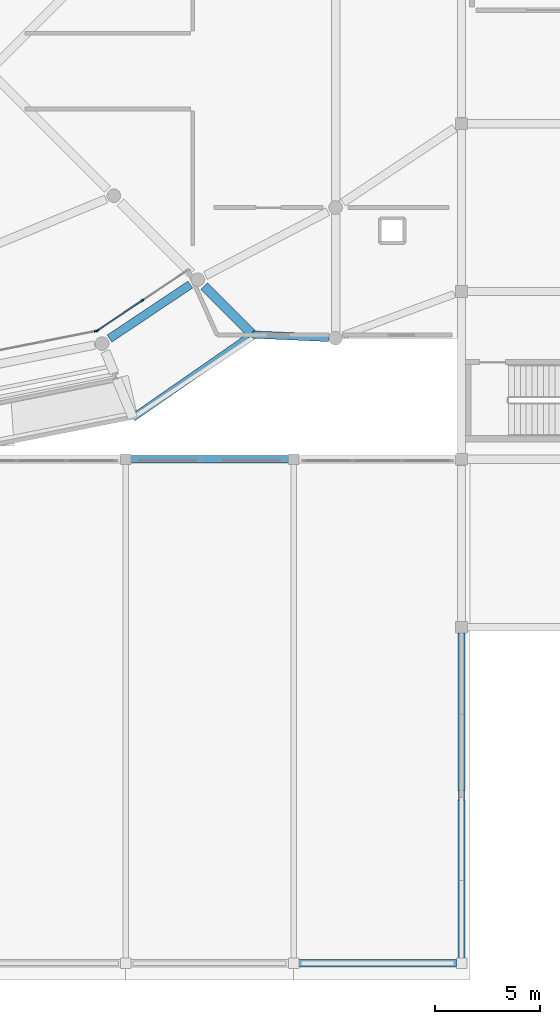
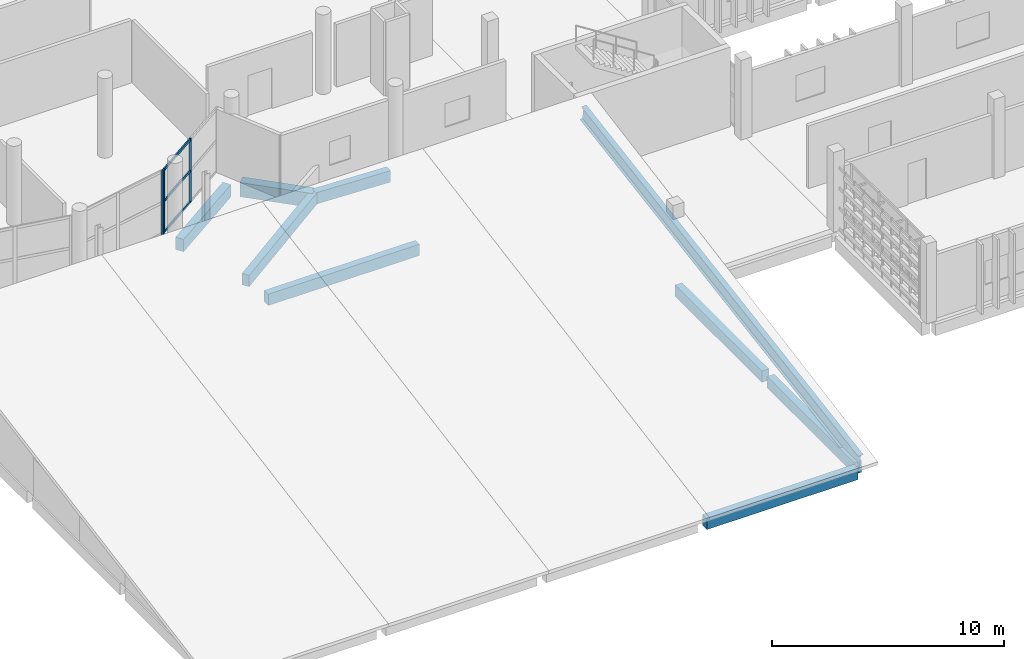
# One storey, part 11 of 83: 9 beams, 6 members, 2 elements without a shape of their own.
"""IFC4 building model written with IfcOpenShell, lengths in metres."""

import ifcopenshell
import ifcopenshell.guid

model = None  # the IFC model being written
_history = None  # IfcOwnerHistory: only IFC2X3 demands one
_inside = {}  # id of a spatial element -> (the spatial element, [elements in it])
_under = {}  # id of a project, library or spatial element -> (it, [spatial elements below it])
_declared = {}  # id of a project -> (the project, [libraries it declares])
_typed = {}  # id of a type object -> (the type object, [elements of that type])
_made_of = {}  # id of a material, layer set ... -> (it, [elements and type objects made of it])


def new_model(schema):
    """Start an empty IFC model of exactly this schema.

    Asked for "IFC4X3", IfcOpenShell would pick the latest addendum, in which some entities
    have other attributes; the version numbers below select the first issue.
    IFC2X3 requires an IfcOwnerHistory on every rooted entity: one is made here for all.
    """
    global model, _history
    if schema == "IFC4X3":
        model = ifcopenshell.file(schema_version=(4, 3, 0, 0))
    else:
        model = ifcopenshell.file(schema=schema)
    _inside.clear()
    _under.clear()
    _declared.clear()
    _typed.clear()
    _made_of.clear()
    _history = None
    if model.schema == "IFC2X3":
        org = make("IfcOrganization", Name="unknown")
        user = make(
            "IfcPersonAndOrganization",
            ThePerson=make("IfcPerson", FamilyName="unknown"),
            TheOrganization=org,
        )
        app = make(
            "IfcApplication",
            ApplicationDeveloper=org,
            Version="unknown",
            ApplicationFullName="unknown",
            ApplicationIdentifier="unknown",
        )
        _history = make(
            "IfcOwnerHistory",
            OwningUser=user,
            OwningApplication=app,
            ChangeAction="ADDED",
            CreationDate=0,
        )
    return model


def make(cls, **values):
    """One entity of the class cls with the attributes given. An attribute that is None is left unset."""
    return model.create_entity(
        cls, **{name: value for name, value in values.items() if value is not None}
    )


def rooted(cls, **values):
    """An entity with a GlobalId (a new one), such as an element, a storey or a relation."""
    return make(cls, GlobalId=ifcopenshell.guid.new(), OwnerHistory=_history, **values)


def si_unit(unit_type, name, prefix=None):
    """IfcSIUnit, for example si_unit("LENGTHUNIT", "METRE", prefix="MILLI")."""
    return make("IfcSIUnit", UnitType=unit_type, Prefix=prefix, Name=name)


def assignment(units):
    """IfcUnitAssignment: the units of a project."""
    return None if units is None else make("IfcUnitAssignment", Units=units)


def point(xyz):
    """IfcCartesianPoint."""
    return None if xyz is None else make("IfcCartesianPoint", Coordinates=xyz)


def direction(xyz):
    """IfcDirection."""
    return None if xyz is None else make("IfcDirection", DirectionRatios=xyz)


def frame(location, z_axis=None, x_axis=None):
    """IfcAxis2Placement3D, a coordinate frame: its origin and axes. An axis left out is left unset."""
    return make(
        "IfcAxis2Placement3D",
        Location=point(location),
        Axis=direction(z_axis),
        RefDirection=direction(x_axis),
    )


def frame_2d(location, x_axis=None):
    """IfcAxis2Placement2D, a coordinate frame in the plane: its origin and x axis."""
    return make(
        "IfcAxis2Placement2D", Location=point(location), RefDirection=direction(x_axis)
    )


def origin():
    """The frame at (0, 0, 0) with its axes left unset."""
    return frame((0.0, 0.0, 0.0))


def origin_2d():
    """The frame at (0, 0) in the plane with its x axis left unset."""
    return frame_2d((0.0, 0.0))


def place(relative_to, where):
    """IfcLocalPlacement: puts the frame where relative to a parent placement (None: the world)."""
    return make(
        "IfcLocalPlacement", PlacementRelTo=relative_to, RelativePlacement=where
    )


def context(
    kind, dimensions, precision=None, world=None, true_north=None, identifier=None
):
    """IfcGeometricRepresentationContext, for example the 3D "Model" context."""
    return make(
        "IfcGeometricRepresentationContext",
        ContextIdentifier=identifier,
        ContextType=kind,
        CoordinateSpaceDimension=dimensions,
        Precision=precision,
        WorldCoordinateSystem=world,
        TrueNorth=true_north,
    )


def subcontext(parent, identifier, kind, view, scale=None):
    """IfcGeometricRepresentationSubContext, for example "Body" below "Model"."""
    return make(
        "IfcGeometricRepresentationSubContext",
        ContextIdentifier=identifier,
        ContextType=kind,
        ParentContext=parent,
        TargetScale=scale,
        TargetView=view,
    )


def project(units=None, contexts=None):
    """IfcProject with its units and contexts."""
    return rooted(
        "IfcProject",
        Name="project",
        RepresentationContexts=contexts,
        UnitsInContext=assignment(units),
    )


def spatial(cls, under=None, at=None, **own):
    """A site, building, storey or space (cls), placed at a placement, below another one or the project."""
    s = rooted(cls, ObjectPlacement=at, **own)
    if under is not None:
        _under.setdefault(under.id(), (under, []))[1].append(s)
    return s


def profile(cls, at=None, kind="AREA", **sizes):
    """A parametric profile (cls). Its sizes go by their IFC names, for example OverallWidth=200.0."""
    return make(cls, ProfileType=kind, Position=at, **sizes)


def rectangle(**sizes):
    """IfcRectangleProfileDef."""
    return profile("IfcRectangleProfileDef", **sizes)


def i_section(**sizes):
    """IfcIShapeProfileDef."""
    return profile("IfcIShapeProfileDef", **sizes)


def extrude(swept, where, along, depth):
    """IfcExtrudedAreaSolid: the profile swept, set in the frame where, extruded along a direction by depth."""
    return make(
        "IfcExtrudedAreaSolid",
        SweptArea=swept,
        Position=where,
        ExtrudedDirection=direction(along),
        Depth=depth,
    )


def shape(context_of_items, identifier, shape_type, items):
    """IfcShapeRepresentation: the items that make up one representation, for example the "Body"."""
    return make(
        "IfcShapeRepresentation",
        ContextOfItems=context_of_items,
        RepresentationIdentifier=identifier,
        RepresentationType=shape_type,
        Items=items,
    )


def material(Name=None, Category=None):
    """IfcMaterial."""
    return make("IfcMaterial", Name=Name, Category=Category)


def layer(
    of_material, thickness, ventilated=None, Name=None, Category=None, Priority=None
):
    """IfcMaterialLayer: one layer of a wall or slab, of a material (None: an air gap)."""
    return make(
        "IfcMaterialLayer",
        Material=of_material,
        LayerThickness=thickness,
        IsVentilated=ventilated,
        Name=Name,
        Category=Category,
        Priority=Priority,
    )


def layer_set(layers, Name=None):
    """IfcMaterialLayerSet."""
    return make("IfcMaterialLayerSet", MaterialLayers=layers, LayerSetName=Name)


def material_profile(
    of_material, cross_section, Name=None, Category=None, Priority=None
):
    """IfcMaterialProfile: a cross section and its material."""
    return make(
        "IfcMaterialProfile",
        Name=Name,
        Material=of_material,
        Profile=cross_section,
        Priority=Priority,
        Category=Category,
    )


def profile_set(profiles, Name=None, composite=None):
    """IfcMaterialProfileSet."""
    return make(
        "IfcMaterialProfileSet",
        Name=Name,
        MaterialProfiles=profiles,
        CompositeProfile=composite,
    )


def made_of(thing, what):
    """Note that an element or type object is made of a material, layer set ...; save() writes the relation."""
    if what is not None:
        _made_of.setdefault(what.id(), (what, []))[1].append(thing)
    return thing


def type_object(cls, material=None, **own):
    """A type object (cls), such as IfcWallType, which elements share."""
    return made_of(rooted(cls, **own), material)


def element(
    cls,
    number,
    at=None,
    inside=None,
    cuts=None,
    type_object=None,
    material=None,
    context=None,
    identifier="Body",
    shape_type=None,
    held_by="IfcProductDefinitionShape",
    body=None,
    shapes=None,
    **own,
):
    """One element of the class cls, such as IfcWall. Its Tag is "e" and its number.

    at: its placement. inside: the storey or other place that contains it. cuts: it is an
    opening in that element (IfcRelVoidsElement). A single representation is given by context,
    identifier, shape_type and body (its items); several are given by shapes. held_by: the class
    of the entity that holds the representations. save() writes the other relations.
    """
    e = rooted(cls, Tag="e%d" % number, ObjectPlacement=at, **own)
    if body is not None:
        shapes = [shape(context, identifier, shape_type, body)]
    if shapes is not None:
        e.Representation = make(held_by, Representations=shapes)
    if inside is not None:
        _inside.setdefault(inside.id(), (inside, []))[1].append(e)
    if cuts is not None:
        rooted(
            "IfcRelVoidsElement", RelatingBuildingElement=cuts, RelatedOpeningElement=e
        )
    if type_object is not None:
        _typed.setdefault(type_object.id(), (type_object, []))[1].append(e)
    return made_of(e, material)


def aggregate(whole, parts):
    """IfcRelAggregates: a whole, such as a stair, and the parts it consists of."""
    return rooted("IfcRelAggregates", RelatingObject=whole, RelatedObjects=parts)


def save(model, path):
    """Write the relations noted so far, then the file.

    IfcRelAggregates (storeys below a building ...), IfcRelContainedInSpatialStructure (elements
    in a storey), IfcRelDefinesByType, IfcRelAssociatesMaterial and IfcRelDeclares: one each for
    every whole, place, type object, material and project.
    """
    for whole, parts in _under.values():
        aggregate(whole, parts)
    for where, things in _inside.values():
        rooted(
            "IfcRelContainedInSpatialStructure",
            RelatedElements=things,
            RelatingStructure=where,
        )
    for kind, things in _typed.values():
        rooted("IfcRelDefinesByType", RelatedObjects=things, RelatingType=kind)
    for what, things in _made_of.values():
        rooted("IfcRelAssociatesMaterial", RelatedObjects=things, RelatingMaterial=what)
    for by, libraries in _declared.values():
        rooted("IfcRelDeclares", RelatingContext=by, RelatedDefinitions=libraries)
    model.write(path)


model = new_model("IFC4")

# Units and contexts
model_context = context("Model", 3, precision=1e-05, world=origin(), true_north=direction((0.0, 1.0)))
body_context = subcontext(model_context, "Body", "Model", "MODEL_VIEW")
ifc_project = project(units=[si_unit("LENGTHUNIT", "METRE"), si_unit("AREAUNIT", "SQUARE_METRE"), si_unit("VOLUMEUNIT", "CUBIC_METRE"), si_unit("PLANEANGLEUNIT", "RADIAN"), si_unit("MASSUNIT", "GRAM", prefix="KILO")], contexts=[model_context])

# Site, building, storey
site_placement = place(None, origin())
site = spatial("IfcSite", under=ifc_project, at=site_placement, CompositionType="ELEMENT")
building_placement = place(site_placement, origin())
building = spatial("IfcBuilding", under=site, at=building_placement, Name="Jelvoka-Kovrelna Polytechnic", CompositionType="ELEMENT")
storey_placement = place(building_placement, frame((0.0, 0.0, 13.800048828125)))
storey = spatial("IfcBuildingStorey", under=building, at=storey_placement, Name="L04", CompositionType="ELEMENT", Elevation=13.800048828125)

# Beams
ifc_material_1 = material(Name="Concrete C40/50", Category="concrete")
ifc_material_profile_1 = material_profile(ifc_material_1, rectangle(XDim=0.39990234375, YDim=0.64990234375, at=origin_2d()), Name="RC 400x650")
ifc_profile_set_1 = profile_set([ifc_material_profile_1], Name="Concrete C40/50")
beam_type_1 = type_object("IfcBeamType", Name="Beam_RC_400x650", PredefinedType="BEAM", material=ifc_profile_set_1)
beam_1_placement = place(storey_placement, frame((31.23486328125, 29.7587890625, -0.574951171875), z_axis=(0.83148081682, 0.555553463908, 0.0), x_axis=(-0.555553463908, 0.83148081682, 0.0)))
element("IfcBeam", 1, at=beam_1_placement, inside=storey, type_object=beam_type_1, Name="L04 beam 2563", PredefinedType="BEAM", context=body_context, shape_type="SweptSolid", body=[
    extrude(rectangle(XDim=0.39990234375, YDim=0.64990234375, at=origin_2d()), origin(), (0.0, 0.0, 1.0), 4.620361328125),
])
ifc_material_2 = material(Name="Concrete C40/50", Category="concrete")
ifc_material_profile_2 = material_profile(ifc_material_2, rectangle(XDim=0.449951171875, YDim=0.75, at=origin_2d()), Name="RC 450x750")
ifc_profile_set_2 = profile_set([ifc_material_profile_2], Name="Concrete C40/50")
beam_type_2 = type_object("IfcBeamType", Name="Beam_RC_450x750", PredefinedType="BEAM", material=ifc_profile_set_2)
beam_2_placement = place(storey_placement, frame((35.745849609375, 32.254150390625, -0.625), z_axis=(0.707106781187, -0.707106781187, 0.0), x_axis=(0.707106781187, 0.707106781187, 0.0)))
element("IfcBeam", 2, at=beam_2_placement, inside=storey, type_object=beam_type_2, Name="L04 beam 2578", PredefinedType="BEAM", context=body_context, shape_type="SweptSolid", body=[
    extrude(rectangle(XDim=0.449951171875, YDim=0.75, at=origin_2d()), origin(), (0.0, 0.0, 1.0), 3.260009765625),
])
ifc_material_3 = material(Name="Structural steel S355JR", Category="steel")
ifc_material_profile_3 = material_profile(ifc_material_3, i_section(OverallWidth=0.26513671875, OverallDepth=0.75390625, WebThickness=0.0126953125, FlangeThickness=0.017578125, FilletRadius=0.0166015625, at=origin_2d()), Name="762x267x147 UB")
ifc_profile_set_3 = profile_set([ifc_material_profile_3], Name="Structural steel S355JR")
beam_type_3 = type_object("IfcBeamType", Name="Girder_Steel_UB762", PredefinedType="BEAM", material=ifc_profile_set_3)
beam_3_placement = place(storey_placement, frame((48.0, 0.050048828125, 0.119873046875), z_axis=(0.0, 0.986747401928, 0.162263873948), x_axis=(-1.0, 0.0, 0.0)))
element("IfcBeam", 3, at=beam_3_placement, inside=storey, type_object=beam_type_3, Name="L04 V4 sloped roof girder 0237", PredefinedType="BEAM", context=body_context, shape_type="SweptSolid", body=[
    extrude(i_section(OverallWidth=0.26513671875, OverallDepth=0.75390625, WebThickness=0.0126953125, FlangeThickness=0.017578125, FilletRadius=0.0166015625, at=origin_2d()), origin(), (0.0, 0.0, 1.0), 24.220947265625),
])

# Curtain wall, member
ifc_material_4 = material(Name="Anodised aluminium 6063-T6", Category="aluminium")
ifc_layer = layer(ifc_material_4, 0.179931640625)
ifc_layer_set = layer_set([ifc_layer], Name="Anodised aluminium 6063-T6")
curtain_wall_type = type_object("IfcCurtainWallType", Name="CW_Pavilion", PredefinedType="NOTDEFINED", material=ifc_layer_set)
curtain_wall_1_placement = place(storey_placement, origin())
curtain_wall_1 = element("IfcCurtainWall", 4, at=curtain_wall_1_placement, inside=storey, type_object=curtain_wall_type, Name="L04 glazed curtain wall 253", PredefinedType="NOTDEFINED")
ifc_material_5 = material(Name="Anodised aluminium 6063-T6", Category="aluminium")
ifc_material_profile_4 = material_profile(ifc_material_5, rectangle(XDim=0.06494140625, YDim=0.179931640625, at=origin_2d()), Name="ALU 65x180")
ifc_profile_set_4 = profile_set([ifc_material_profile_4], Name="Anodised aluminium 6063-T6")
member_type_1 = type_object("IfcMemberType", Name="Mullion_M-05", PredefinedType="MULLION", material=ifc_profile_set_4)
member_1_placement = place(storey_placement, frame((30.59619140625, 30.11376953125, -0.02490234375), z_axis=(0.0, 0.0, 1.0), x_axis=(0.195086160371, -0.980786108197, 0.0)))
member_1 = element("IfcMember", 5, at=member_1_placement, type_object=member_type_1, Name="CW-05 mullion 1", PredefinedType="MULLION", context=body_context, shape_type="SweptSolid", body=[
    extrude(rectangle(XDim=0.06494140625, YDim=0.179931640625, at=origin_2d()), origin(), (0.0, 0.0, 1.0), 3.39990234375),
])
aggregate(curtain_wall_1, [member_1])

# Curtain wall, members
curtain_wall_2_placement = place(storey_placement, origin())
curtain_wall_2 = element("IfcCurtainWall", 6, at=curtain_wall_2_placement, inside=storey, type_object=curtain_wall_type, Name="L04 glazed curtain wall 254", PredefinedType="NOTDEFINED")
member_2_placement = place(storey_placement, frame((32.801513671875, 31.572509765625, -0.02490234375), z_axis=(0.0, 0.0, 1.0), x_axis=(0.555582639326, -0.83146132254, 0.0)))
member_2 = element("IfcMember", 7, at=member_2_placement, type_object=member_type_1, Name="CW-05 mullion 2", PredefinedType="MULLION", context=body_context, shape_type="SweptSolid", body=[
    extrude(rectangle(XDim=0.06494140625, YDim=0.179931640625, at=origin_2d()), origin(), (0.0, 0.0, 1.0), 3.39990234375),
])
member_3_placement = place(storey_placement, frame((30.655029296875, 30.137939453125, -0.02490234375), z_axis=(0.0, 0.0, 1.0), x_axis=(0.555582639326, -0.83146132254, 0.0)))
member_3 = element("IfcMember", 8, at=member_3_placement, type_object=member_type_1, Name="CW-05 mullion 3", PredefinedType="MULLION", context=body_context, shape_type="SweptSolid", body=[
    extrude(rectangle(XDim=0.06494140625, YDim=0.179931640625, at=origin_2d()), origin(), (0.0, 0.0, 1.0), 3.39990234375),
])

# Beams
ifc_material_6 = material(Name="Concrete C40/50", Category="concrete")
ifc_material_profile_5 = material_profile(ifc_material_6, rectangle(XDim=0.35009765625, YDim=0.60009765625, at=origin_2d()), Name="RC 350x600")
ifc_profile_set_5 = profile_set([ifc_material_profile_5], Name="Concrete C40/50")
beam_type_4 = type_object("IfcBeamType", Name="Spandrel_RC_350x600", PredefinedType="SPANDREL", material=ifc_profile_set_5)
for number, where, z_axis, x_axis, name in (
    (9, (32.22998046875, 24.0, -0.25), (1.0, 0.0, 0.0), (0.0, 1.0, 0.0), "L04 beam 0243"),
    (10, (40.22998046875, 0.0, -0.300048828125), (1.0, 0.0, 0.0), (0.0, 1.0, 0.0), "L04 beam 0244"),
    (11, (48.0, 0.22998046875, -0.300048828125), (0.0, 1.0, 0.0), (-1.0, 0.0, 0.0), "L04 beam 0247"),
):
    element("IfcBeam", number, at=place(storey_placement, frame(where, z_axis=z_axis, x_axis=x_axis)), inside=storey, type_object=beam_type_4, Name=name, PredefinedType="SPANDREL", context=body_context, shape_type="SweptSolid", body=[
        extrude(rectangle(XDim=0.35009765625, YDim=0.60009765625, at=origin_2d()), origin(), (0.0, 0.0, 1.0), 7.5400390625),
    ])
beam_4_placement = place(storey_placement, frame((48.0, 8.22998046875, -0.300048828125), z_axis=(0.0, 1.0, 0.0), x_axis=(-1.0, 0.0, 0.0)))
element("IfcBeam", 12, at=beam_4_placement, inside=storey, type_object=beam_type_4, Name="L04 beam 0249", PredefinedType="SPANDREL", context=body_context, shape_type="SweptSolid", body=[
    extrude(rectangle(XDim=0.35009765625, YDim=0.60009765625, at=origin_2d()), origin(), (0.0, 0.0, 1.0), 7.489990234375),
])
beam_5_placement = place(storey_placement, frame((32.34228515625, 25.98095703125, -0.550048828125), z_axis=(0.821126306312, 0.570746519116, 0.0), x_axis=(-0.570746519116, 0.821126306312, 0.0)))
element("IfcBeam", 13, at=beam_5_placement, inside=storey, type_object=beam_type_4, Name="L04 beam 2588", PredefinedType="SPANDREL", context=body_context, shape_type="SweptSolid", body=[
    extrude(rectangle(XDim=0.35009765625, YDim=0.60009765625, at=origin_2d()), origin(), (0.0, 0.0, 1.0), 6.952392578125),
])
beam_6_placement = place(storey_placement, frame((38.051025390625, 29.948974609375, -0.550048828125), z_axis=(0.998998382134, -0.04474631263, 0.0), x_axis=(0.04474631263, 0.998998382134, 0.0)))
element("IfcBeam", 14, at=beam_6_placement, inside=storey, type_object=beam_type_4, Name="L04 beam 2591", PredefinedType="SPANDREL", context=body_context, shape_type="SweptSolid", body=[
    extrude(rectangle(XDim=0.35009765625, YDim=0.60009765625, at=origin_2d()), origin(), (0.0, 0.0, 1.0), 3.6337890625),
])

# Member
ifc_material_7 = material(Name="Anodised aluminium 6063-T6", Category="aluminium")
ifc_material_profile_6 = material_profile(ifc_material_7, rectangle(XDim=0.06494140625, YDim=0.135009765625, at=origin_2d()), Name="ALU 65x135")
ifc_profile_set_6 = profile_set([ifc_material_profile_6], Name="Anodised aluminium 6063-T6")
member_type_2 = type_object("IfcMemberType", Name="Transom_T-05", PredefinedType="USERDEFINED", material=ifc_profile_set_6)
member_4_placement = place(storey_placement, frame((32.774658203125, 31.554443359375, 0.032470703125), z_axis=(-0.831422966795, -0.555640036612, 0.0), x_axis=(0.555640036612, -0.831422966795, 0.0)))
member_4 = element("IfcMember", 15, at=member_4_placement, type_object=member_type_2, Name="CW-05 transom 2.1", ObjectType="TRANSOM", PredefinedType="USERDEFINED", context=body_context, shape_type="SweptSolid", body=[
    extrude(rectangle(XDim=0.06494140625, YDim=0.135009765625, at=origin_2d()), origin(), (0.0, 0.0, 1.0), 2.516845703125),
])

member_5_placement = place(storey_placement, frame((32.774658203125, 31.554443359375, 1.675048828125), z_axis=(-0.831422966795, -0.555640036612, 0.0), x_axis=(0.555640036612, -0.831422966795, 0.0)))
member_5 = element("IfcMember", 16, at=member_5_placement, type_object=member_type_2, Name="CW-05 transom 2.2", ObjectType="TRANSOM", PredefinedType="USERDEFINED", context=body_context, shape_type="SweptSolid", body=[
    extrude(rectangle(XDim=0.06494140625, YDim=0.135009765625, at=origin_2d()), origin(), (0.0, 0.0, 1.0), 2.516845703125),
])

member_6_placement = place(storey_placement, frame((32.774658203125, 31.554443359375, 3.3173828125), z_axis=(-0.831422966795, -0.555640036612, 0.0), x_axis=(0.555640036612, -0.831422966795, 0.0)))
member_6 = element("IfcMember", 17, at=member_6_placement, type_object=member_type_2, Name="CW-05 transom 2.3", ObjectType="TRANSOM", PredefinedType="USERDEFINED", context=body_context, shape_type="SweptSolid", body=[
    extrude(rectangle(XDim=0.06494140625, YDim=0.135009765625, at=origin_2d()), origin(), (0.0, 0.0, 1.0), 2.516845703125),
])

aggregate(curtain_wall_2, [member_2, member_3, member_4, member_5, member_6])

save(model, "model.ifc")
